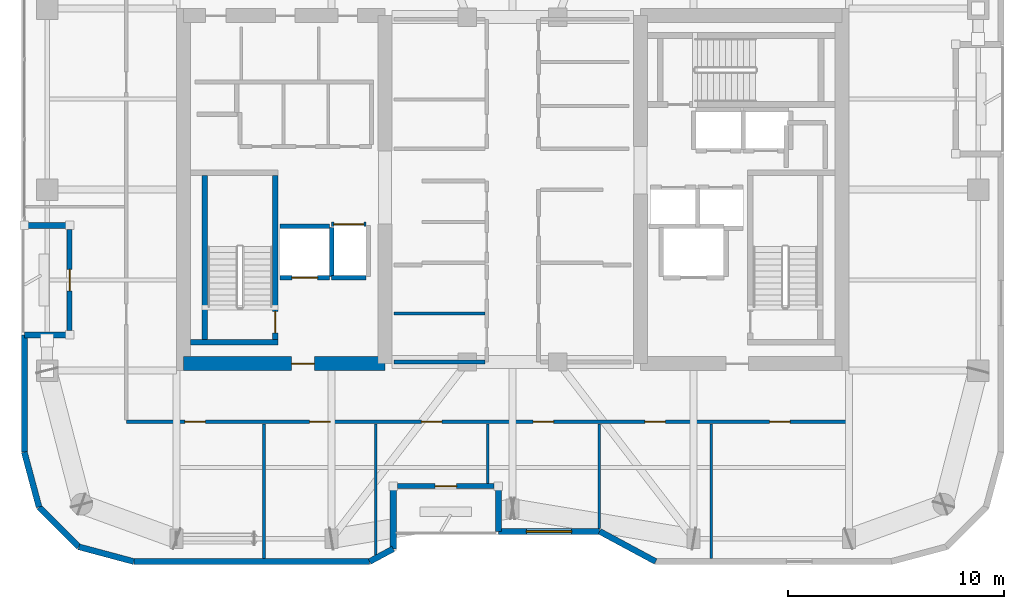
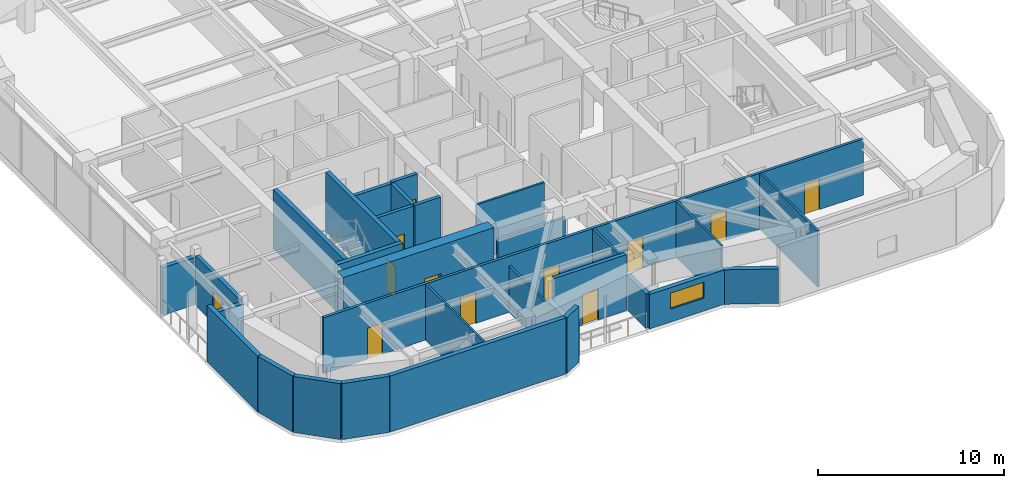
# One storey, part 15 of 21: 31 walls, 12 doors, 1 window, 13 openings.
"""IFC4 building model written with IfcOpenShell, lengths in metres."""

from ifc_helpers import new_model, si_unit, direction, frame, frame_2d, origin, place, context, subcontext, project, spatial, rectangle, extrude, material, layer, layer_set, type_object, element, fill, save


model = new_model("IFC4")

# Units and contexts
model_context = context("Model", 3, precision=1e-05, world=origin(), true_north=direction((0.0, 1.0)))
body_context = subcontext(model_context, "Body", "Model", "MODEL_VIEW")
ifc_project = project(units=[si_unit("LENGTHUNIT", "METRE"), si_unit("AREAUNIT", "SQUARE_METRE"), si_unit("VOLUMEUNIT", "CUBIC_METRE"), si_unit("PLANEANGLEUNIT", "RADIAN"), si_unit("MASSUNIT", "GRAM", prefix="KILO")], contexts=[model_context])

# Site, building, storey
site_placement = place(None, origin())
site = spatial("IfcSite", under=ifc_project, at=site_placement, CompositionType="ELEMENT")
building_placement = place(site_placement, origin())
building = spatial("IfcBuilding", under=site, at=building_placement, Name="Kiyonajd Concourse Tower", CompositionType="ELEMENT")
storey_placement = place(building_placement, frame((0.0, 0.0, 247.199951171875)))
storey = spatial("IfcBuildingStorey", under=building, at=storey_placement, Name="L62", CompositionType="ELEMENT", Elevation=247.199951171875)

# Wall, opening, door
ifc_material_1 = material(Name="Concrete C60/75", Category="concrete")
ifc_layer_1 = layer(ifc_material_1, 0.64990234375)
ifc_layer_set_1 = layer_set([ifc_layer_1], Name="Concrete C60/75")
wall_type_1 = type_object("IfcWallType", Name="WL-CORE-650", PredefinedType="SHEAR", material=ifc_layer_set_1)
wall_1_placement = place(storey_placement, frame((32.72509765625, 27.925048828125, 0.0), z_axis=(0.0, 0.0, 1.0), x_axis=(1.0, 0.0, 0.0)))
wall_1 = element("IfcWall", 1, at=wall_1_placement, inside=storey, type_object=wall_type_1, Name="L62 West Core South Shear Wall", PredefinedType="SHEAR", context=body_context, shape_type="SweptSolid", body=[
    extrude(rectangle(XDim=9.349853515625, YDim=0.64990234375, at=frame_2d((4.6748046875, 0.0))), origin(), (0.0, 0.0, 1.0), 3.900146484375),
])
opening_1_placement = place(wall_1_placement, frame((5.02490234375, 0.0, 0.0)))
opening_1 = element("IfcOpeningElement", 2, at=opening_1_placement, cuts=wall_1, Name="Opening DF5", PredefinedType="OPENING", context=body_context, shape_type="SweptSolid", body=[
    extrude(rectangle(XDim=1.050048828125, YDim=2.0400390625, at=frame_2d((0.52490234375, 1.02001953125))), frame((0.0, 0.3349609375, 0.0), z_axis=(0.0, -1.0, 0.0), x_axis=(1.0, 0.0, 0.0)), (0.0, 0.0, 1.0), 0.669921875),
])
ifc_material_2 = material(Name="Brushed Stainless Steel Cab Assembly", Category="steel")
door_type_1 = type_object("IfcDoorType", Name="DR-FD45-1050", OperationType="NOTDEFINED", PredefinedType="DOOR", material=ifc_material_2)
door_1_placement = place(opening_1_placement, origin())
door_1 = element("IfcDoor", 3, at=door_1_placement, inside=storey, type_object=door_type_1, Name="L62 Firefighting Lift Lobby W Smoke Door", OperationType="SINGLE_SWING_LEFT", OverallHeight=2.0400390625, OverallWidth=1.050048828125, PredefinedType="DOOR", context=body_context, shape_type="SweptSolid", body=[
    extrude(rectangle(XDim=1.050048828125, YDim=2.0400390625, at=frame_2d((0.52490234375, 1.02001953125))), frame((0.0, 0.02490234375, 0.0), z_axis=(0.0, -1.0, 0.0), x_axis=(1.0, 0.0, 0.0)), (0.0, 0.0, 1.0), 0.050048828125),
])
fill(opening_1, door_1)

# Walls
ifc_material_3 = material(Name="Precast concrete C50/60", Category="concrete")
ifc_layer_2 = layer(ifc_material_3, 0.280029296875)
ifc_layer_set_2 = layer_set([ifc_layer_2], Name="Precast concrete C50/60")
wall_type_2 = type_object("IfcWallType", Name="WL-EXT-280", PredefinedType="SOLIDWALL", material=ifc_layer_set_2)
wall_2_placement = place(storey_placement, frame((26.0224609375, 21.2724609375, 0.0), z_axis=(0.0, 0.0, 1.0), x_axis=(-0.2588904131, 0.965906700466, 0.0)))
element("IfcWall", 4, at=wall_2_placement, inside=storey, type_object=wall_type_2, Name="L62 Exterior Concrete Frame Wall 00", PredefinedType="SOLIDWALL", context=body_context, shape_type="SweptSolid", body=[
    extrude(rectangle(XDim=2.6357421875, YDim=0.280029296875, at=frame_2d((1.31787109375, 0.0))), origin(), (0.0, 0.0, 1.0), 3.679931640625),
])
wall_3_placement = place(storey_placement, frame((25.340087890625, 23.818359375, 0.0), z_axis=(0.0, 0.0, 1.0), x_axis=(0.0, 1.0, 0.0)))
element("IfcWall", 5, at=wall_3_placement, inside=storey, type_object=wall_type_2, Name="L62 Exterior Concrete Frame Wall 01", PredefinedType="SOLIDWALL", context=body_context, shape_type="SweptSolid", body=[
    extrude(rectangle(XDim=5.441650390625, YDim=0.280029296875, at=frame_2d((2.720703125, 0.0))), origin(), (0.0, 0.0, 1.0), 3.679931640625),
])
for number, where, z_axis, x_axis, name in (
    (6, (25.340087890625, 29.260009765625, 0.0), (0.0, 0.0, 1.0), (1.0, 0.0, 0.0), "L62 Exterior Concrete Frame Wall 02"),
    (7, (27.43994140625, 34.340087890625, 0.0), (0.0, 0.0, 1.0), (-1.0, 0.0, 0.0), "L62 Exterior Concrete Frame Wall 04"),
):
    element("IfcWall", number, at=place(storey_placement, frame(where, z_axis=z_axis, x_axis=x_axis)), inside=storey, type_object=wall_type_2, Name=name, PredefinedType="SOLIDWALL", context=body_context, shape_type="SweptSolid", body=[
        extrude(rectangle(XDim=2.099853515625, YDim=0.280029296875, at=frame_2d((1.0498046875, 0.0))), origin(), (0.0, 0.0, 1.0), 3.115966796875),
    ])
wall_4_placement = place(storey_placement, frame((54.63525390625, 18.739990234375, 0.0), z_axis=(0.0, 0.0, 1.0), x_axis=(-0.880473754814, 0.474094892488, 0.0)))
element("IfcWall", 8, at=wall_4_placement, inside=storey, type_object=wall_type_2, Name="L62 Exterior Concrete Frame Wall 29", PredefinedType="SOLIDWALL", context=body_context, shape_type="SweptSolid", body=[
    extrude(rectangle(XDim=2.952880859375, YDim=0.280029296875, at=frame_2d((1.4765625, 0.0))), origin(), (0.0, 0.0, 1.0), 2.26513671875),
])

# Wall, opening, window
wall_5_placement = place(storey_placement, frame((52.035400390625, 20.139892578125, 0.0), z_axis=(0.0, 0.0, 1.0), x_axis=(-1.0, 0.0, 0.0)))
wall_5 = element("IfcWall", 9, at=wall_5_placement, inside=storey, type_object=wall_type_2, Name="L62 Exterior Concrete Frame Wall 30", PredefinedType="SOLIDWALL", context=body_context, shape_type="SweptSolid", body=[
    extrude(rectangle(XDim=4.6953125, YDim=0.280029296875, at=frame_2d((2.34765625, 0.0))), origin(), (0.0, 0.0, 1.0), 2.26513671875),
])
opening_2_placement = place(wall_5_placement, frame((1.298095703125, 0.0, 0.85009765625)))
opening_2 = element("IfcOpeningElement", 10, at=opening_2_placement, cuts=wall_5, Name="Opening WN5", PredefinedType="OPENING", context=body_context, shape_type="SweptSolid", body=[
    extrude(rectangle(XDim=2.10009765625, YDim=1.050048828125, at=frame_2d((1.050048828125, 0.52490234375))), frame((0.0, 0.14990234375, 0.0), z_axis=(0.0, -1.0, 0.0), x_axis=(1.0, 0.0, 0.0)), (0.0, 0.0, 1.0), 0.300048828125),
])
ifc_material_4 = material(Name="Double Low-E Insulated Glass", Category="glass")
window_type = type_object("IfcWindowType", Name="WN-VIS-2100x1050", PartitioningType="SINGLE_PANEL", PredefinedType="WINDOW", material=ifc_material_4)
window_placement = place(opening_2_placement, origin())
window = element("IfcWindow", 11, at=window_placement, inside=storey, type_object=window_type, Name="L62 Modular Facade Vision Window 30", OverallHeight=1.050048828125, OverallWidth=2.10009765625, PartitioningType="SINGLE_PANEL", PredefinedType="WINDOW", context=body_context, shape_type="SweptSolid", body=[
    extrude(rectangle(XDim=2.10009765625, YDim=1.050048828125, at=frame_2d((1.050048828125, 0.52490234375))), frame((0.0, 0.030029296875, 0.0), z_axis=(0.0, -1.0, 0.0), x_axis=(1.0, 0.0, 0.0)), (0.0, 0.0, 1.0), 0.06005859375),
])
fill(opening_2, window)

# Walls
wall_6_placement = place(storey_placement, frame((47.340087890625, 20.139892578125, 0.0), z_axis=(0.0, 0.0, 1.0), x_axis=(0.0, 1.0, 0.0)))
element("IfcWall", 12, at=wall_6_placement, inside=storey, type_object=wall_type_2, Name="L62 Exterior Concrete Frame Wall 31", PredefinedType="SOLIDWALL", context=body_context, shape_type="SweptSolid", body=[
    extrude(rectangle(XDim=2.10009765625, YDim=0.280029296875, at=frame_2d((1.050048828125, 0.0))), origin(), (0.0, 0.0, 1.0), 2.26513671875),
])
wall_7_placement = place(storey_placement, frame((42.4599609375, 22.239990234375, 0.0), z_axis=(0.0, 0.0, 1.0), x_axis=(0.0, -1.0, 0.0)))
element("IfcWall", 13, at=wall_7_placement, inside=storey, type_object=wall_type_2, Name="L62 Exterior Concrete Frame Wall 33", PredefinedType="SOLIDWALL", context=body_context, shape_type="SweptSolid", body=[
    extrude(rectangle(XDim=2.910400390625, YDim=0.280029296875, at=frame_2d((1.455078125, 0.0))), origin(), (0.0, 0.0, 1.0), 2.26513671875),
])
wall_8_placement = place(storey_placement, frame((42.4599609375, 19.32958984375, 0.0), z_axis=(0.0, 0.0, 1.0), x_axis=(-0.880515214249, -0.474017887296, 0.0)))
element("IfcWall", 14, at=wall_8_placement, inside=storey, type_object=wall_type_2, Name="L62 Exterior Concrete Frame Wall 34", PredefinedType="SOLIDWALL", context=body_context, shape_type="SweptSolid", body=[
    extrude(rectangle(XDim=1.243896484375, YDim=0.280029296875, at=frame_2d((0.6220703125, 0.0))), origin(), (0.0, 0.0, 1.0), 3.679931640625),
])
wall_9_placement = place(storey_placement, frame((41.36474609375, 18.739990234375, 0.0), z_axis=(0.0, 0.0, 1.0), x_axis=(-1.0, 0.0, 0.0)))
element("IfcWall", 15, at=wall_9_placement, inside=storey, type_object=wall_type_2, Name="L62 Exterior Concrete Frame Wall 35", PredefinedType="SOLIDWALL", context=body_context, shape_type="SweptSolid", body=[
    extrude(rectangle(XDim=10.9462890625, YDim=0.280029296875, at=frame_2d((5.47314453125, 0.0))), origin(), (0.0, 0.0, 1.0), 3.679931640625),
])
wall_10_placement = place(storey_placement, frame((30.41845703125, 18.739990234375, 0.0), z_axis=(0.0, 0.0, 1.0), x_axis=(-0.965883534663, 0.258976828051, 0.0)))
element("IfcWall", 16, at=wall_10_placement, inside=storey, type_object=wall_type_2, Name="L62 Exterior Concrete Frame Wall 36", PredefinedType="SOLIDWALL", context=body_context, shape_type="SweptSolid", body=[
    extrude(rectangle(XDim=2.6357421875, YDim=0.280029296875, at=frame_2d((1.31787109375, 0.0))), origin(), (0.0, 0.0, 1.0), 3.679931640625),
])
wall_11_placement = place(storey_placement, frame((27.87255859375, 19.422607421875, 0.0), z_axis=(0.0, 0.0, 1.0), x_axis=(-0.707153437963, 0.707060121331, 0.0)))
element("IfcWall", 17, at=wall_11_placement, inside=storey, type_object=wall_type_2, Name="L62 Exterior Concrete Frame Wall 37", PredefinedType="SOLIDWALL", context=body_context, shape_type="SweptSolid", body=[
    extrude(rectangle(XDim=2.6162109375, YDim=0.280029296875, at=frame_2d((1.30810546875, 0.0))), origin(), (0.0, 0.0, 1.0), 3.679931640625),
])

# Wall, opening, door
ifc_layer_3 = layer(ifc_material_3, 0.239990234375)
ifc_layer_set_3 = layer_set([ifc_layer_3], Name="Precast concrete C50/60")
wall_type_3 = type_object("IfcWallType", Name="WL-LOG-240", PredefinedType="SOLIDWALL", material=ifc_layer_set_3)
wall_12_placement = place(storey_placement, frame((27.43994140625, 29.455078125, 0.0), z_axis=(0.0, 0.0, 1.0), x_axis=(0.0, 1.0, 0.0)))
wall_12 = element("IfcWall", 18, at=wall_12_placement, inside=storey, type_object=wall_type_3, Name="L62 Recessed Loggia Thermal Wall LOG-W", PredefinedType="SOLIDWALL", context=body_context, shape_type="SweptSolid", body=[
    extrude(rectangle(XDim=4.68994140625, YDim=0.239990234375, at=frame_2d((2.344970703125, 0.0))), origin(), (0.0, 0.0, 1.0), 3.248046875),
])
opening_3_placement = place(wall_12_placement, frame((1.844970703125, 0.0, 0.0)))
opening_3 = element("IfcOpeningElement", 19, at=opening_3_placement, cuts=wall_12, Name="Opening DL1", PredefinedType="OPENING", context=body_context, shape_type="SweptSolid", body=[
    extrude(rectangle(XDim=1.0, YDim=2.02001953125, at=frame_2d((0.5, 1.010009765625))), frame((0.0, 0.1298828125, 0.0), z_axis=(0.0, -1.0, 0.0), x_axis=(1.0, 0.0, 0.0)), (0.0, 0.0, 1.0), 0.260009765625),
])
ifc_material_5 = material(Name="Thermally Broken Anodised Aluminium", Category="aluminium")
door_type_2 = type_object("IfcDoorType", Name="DR-LOG-1000", OperationType="NOTDEFINED", PredefinedType="DOOR", material=ifc_material_5)
door_2_placement = place(opening_3_placement, origin())
door_2 = element("IfcDoor", 20, at=door_2_placement, inside=storey, type_object=door_type_2, Name="L62 Engawa Loggia Access Door LOG-W", OperationType="SINGLE_SWING_LEFT", OverallHeight=2.02001953125, OverallWidth=1.0, PredefinedType="DOOR", context=body_context, shape_type="SweptSolid", body=[
    extrude(rectangle(XDim=1.0, YDim=2.02001953125, at=frame_2d((0.5, 1.010009765625))), frame((0.0, 0.02490234375, 0.0), z_axis=(0.0, -1.0, 0.0), x_axis=(1.0, 0.0, 0.0)), (0.0, 0.0, 1.0), 0.050048828125),
])
fill(opening_3, door_2)

wall_13_placement = place(storey_placement, frame((47.14501953125, 22.239990234375, 0.0), z_axis=(0.0, 0.0, 1.0), x_axis=(-1.0, 0.0, 0.0)))
wall_13 = element("IfcWall", 21, at=wall_13_placement, inside=storey, type_object=wall_type_3, Name="L62 Recessed Loggia Thermal Wall LOG-S", PredefinedType="SOLIDWALL", context=body_context, shape_type="SweptSolid", body=[
    extrude(rectangle(XDim=4.489990234375, YDim=0.239990234375, at=frame_2d((2.2451171875, 0.0))), origin(), (0.0, 0.0, 1.0), 3.679931640625),
])
opening_4_placement = place(wall_13_placement, frame((1.7451171875, 0.0, 0.0)))
opening_4 = element("IfcOpeningElement", 22, at=opening_4_placement, cuts=wall_13, Name="Opening DL1", PredefinedType="OPENING", context=body_context, shape_type="SweptSolid", body=[
    extrude(rectangle(XDim=1.0, YDim=2.02001953125, at=frame_2d((0.5, 1.010009765625))), frame((0.0, 0.1298828125, 0.0), z_axis=(0.0, -1.0, 0.0), x_axis=(1.0, 0.0, 0.0)), (0.0, 0.0, 1.0), 0.260009765625),
])
door_3_placement = place(opening_4_placement, origin())
door_3 = element("IfcDoor", 23, at=door_3_placement, inside=storey, type_object=door_type_2, Name="L62 Engawa Loggia Access Door LOG-S", OperationType="SINGLE_SWING_RIGHT", OverallHeight=2.02001953125, OverallWidth=1.0, PredefinedType="DOOR", context=body_context, shape_type="SweptSolid", body=[
    extrude(rectangle(XDim=1.0, YDim=2.02001953125, at=frame_2d((0.5, 1.010009765625))), frame((0.0, 0.02490234375, 0.0), z_axis=(0.0, -1.0, 0.0), x_axis=(1.0, 0.0, 0.0)), (0.0, 0.0, 1.0), 0.050048828125),
])
fill(opening_4, door_3)

# Walls
ifc_material_6 = material(Name="Gypsum Board on Cold-Formed Steel Stud", Category="steel")
ifc_layer_4 = layer(ifc_material_6, 0.125)
ifc_layer_set_4 = layer_set([ifc_layer_4], Name="Gypsum Board on Cold-Formed Steel Stud")
wall_type_4 = type_object("IfcWallType", Name="WL-PART-125", PredefinedType="PARTITIONING", material=ifc_layer_set_4)
wall_14_placement = place(storey_placement, frame((42.5, 30.25, 0.0), z_axis=(0.0, 0.0, 1.0), x_axis=(1.0, 0.0, 0.0)))
element("IfcWall", 24, at=wall_14_placement, inside=storey, type_object=wall_type_4, Name="L62 Interior Partition Wall", PredefinedType="PARTITIONING", context=body_context, shape_type="SweptSolid", body=[
    extrude(rectangle(XDim=4.212890625, YDim=0.125, at=frame_2d((2.1064453125, 0.0))), origin(), (0.0, 0.0, 1.0), 3.679931640625),
])
wall_15_placement = place(storey_placement, frame((36.4599609375, 18.875, 0.0), z_axis=(0.0, 0.0, 1.0), x_axis=(0.0, 1.0, 0.0)))
element("IfcWall", 25, at=wall_15_placement, inside=storey, type_object=wall_type_4, Name="L62 Interior Partition Wall", PredefinedType="PARTITIONING", context=body_context, shape_type="SweptSolid", body=[
    extrude(rectangle(XDim=6.258056640625, YDim=0.125, at=frame_2d((3.12890625, 0.0))), origin(), (0.0, 0.0, 1.0), 3.679931640625),
])
wall_16_placement = place(storey_placement, frame((41.64990234375, 19.049072265625, 0.0), z_axis=(0.0, 0.0, 1.0), x_axis=(0.0, 1.0, 0.0)))
element("IfcWall", 26, at=wall_16_placement, inside=storey, type_object=wall_type_4, Name="L62 Interior Partition Wall", PredefinedType="PARTITIONING", context=body_context, shape_type="SweptSolid", body=[
    extrude(rectangle(XDim=6.083984375, YDim=0.125, at=frame_2d((3.0419921875, 0.0))), origin(), (0.0, 0.0, 1.0), 3.04296875),
])
wall_17_placement = place(storey_placement, frame((46.840087890625, 22.35498046875, 0.0), z_axis=(0.0, 0.0, 1.0), x_axis=(0.0, 1.0, 0.0)))
element("IfcWall", 27, at=wall_17_placement, inside=storey, type_object=wall_type_4, Name="L62 Interior Partition Wall", PredefinedType="PARTITIONING", context=body_context, shape_type="SweptSolid", body=[
    extrude(rectangle(XDim=2.778076171875, YDim=0.125, at=frame_2d((1.38916015625, 0.0))), origin(), (0.0, 0.0, 1.0), 3.679931640625),
])
wall_18_placement = place(storey_placement, frame((52.02001953125, 20.282958984375, 0.0), z_axis=(0.0, 0.0, 1.0), x_axis=(0.0, 1.0, 0.0)))
element("IfcWall", 28, at=wall_18_placement, inside=storey, type_object=wall_type_4, Name="L62 Interior Partition Wall", PredefinedType="PARTITIONING", context=body_context, shape_type="SweptSolid", body=[
    extrude(rectangle(XDim=4.85009765625, YDim=0.125, at=frame_2d((2.425048828125, 0.0))), origin(), (0.0, 0.0, 1.0), 3.679931640625),
])
wall_19_placement = place(storey_placement, frame((57.2099609375, 18.875, 0.0), z_axis=(0.0, 0.0, 1.0), x_axis=(0.0, 1.0, 0.0)))
element("IfcWall", 29, at=wall_19_placement, inside=storey, type_object=wall_type_4, Name="L62 Interior Partition Wall", PredefinedType="PARTITIONING", context=body_context, shape_type="SweptSolid", body=[
    extrude(rectangle(XDim=6.258056640625, YDim=0.125, at=frame_2d((3.12890625, 0.0))), origin(), (0.0, 0.0, 1.0), 3.679931640625),
])

# Wall, opening, door
ifc_layer_5 = layer(ifc_material_6, 0.2099609375)
ifc_layer_set_5 = layer_set([ifc_layer_5], Name="Gypsum Board on Cold-Formed Steel Stud")
wall_type_5 = type_object("IfcWallType", Name="WL-SHAFT-210", PredefinedType="PARTITIONING", material=ifc_layer_set_5)
wall_20_placement = place(storey_placement, frame((37.199951171875, 31.89990234375, 0.0), z_axis=(0.0, 0.0, 1.0), x_axis=(1.0, 0.0, 0.0)))
wall_20 = element("IfcWall", 30, at=wall_20_placement, inside=storey, type_object=wall_type_5, Name="L62 Shaft Enclosure Wall", PredefinedType="PARTITIONING", context=body_context, shape_type="SweptSolid", body=[
    extrude(rectangle(XDim=2.300048828125, YDim=0.2099609375, at=frame_2d((1.14990234375, 0.0))), origin(), (0.0, 0.0, 1.0), 3.679931640625),
])
opening_5_placement = place(wall_20_placement, frame((0.550048828125, 0.0, 0.0)))
opening_5 = element("IfcOpeningElement", 31, at=opening_5_placement, cuts=wall_20, Name="Opening LD2", PredefinedType="OPENING", context=body_context, shape_type="SweptSolid", body=[
    extrude(rectangle(XDim=1.199951171875, YDim=2.0400390625, at=frame_2d((0.60009765625, 1.02001953125))), frame((0.0, 0.114990234375, 0.0), z_axis=(0.0, -1.0, 0.0), x_axis=(1.0, 0.0, 0.0)), (0.0, 0.0, 1.0), 0.22998046875),
])
door_type_3 = type_object("IfcDoorType", Name="DR-LD-1200", OperationType="DOUBLE_DOOR_SLIDING", PredefinedType="DOOR", material=ifc_material_2)
door_4_placement = place(opening_5_placement, origin())
door_4 = element("IfcDoor", 32, at=door_4_placement, inside=storey, type_object=door_type_3, Name="L62 Lift FFL1 Sliding Landing Door", OperationType="DOUBLE_DOOR_SLIDING", OverallHeight=2.0400390625, OverallWidth=1.199951171875, PredefinedType="DOOR", context=body_context, shape_type="SweptSolid", body=[
    extrude(rectangle(XDim=1.199951171875, YDim=2.0400390625, at=frame_2d((0.60009765625, 1.02001953125))), frame((0.0, 0.02490234375, 0.0), z_axis=(0.0, -1.0, 0.0), x_axis=(1.0, 0.0, 0.0)), (0.0, 0.0, 1.0), 0.050048828125),
])
fill(opening_5, door_4)

# Walls
wall_21_placement = place(storey_placement, frame((37.199951171875, 34.300048828125, 0.0), z_axis=(0.0, 0.0, 1.0), x_axis=(1.0, 0.0, 0.0)))
element("IfcWall", 33, at=wall_21_placement, inside=storey, type_object=wall_type_5, Name="L62 Shaft Enclosure Wall", PredefinedType="PARTITIONING", context=body_context, shape_type="SweptSolid", body=[
    extrude(rectangle(XDim=2.300048828125, YDim=0.2099609375, at=frame_2d((1.14990234375, 0.0))), origin(), (0.0, 0.0, 1.0), 3.679931640625),
])
wall_22_placement = place(storey_placement, frame((39.60009765625, 31.9599609375, 0.0), z_axis=(0.0, 0.0, 1.0), x_axis=(0.0, 1.0, 0.0)))
element("IfcWall", 34, at=wall_22_placement, inside=storey, type_object=wall_type_5, Name="L62 Shaft Enclosure Wall", PredefinedType="PARTITIONING", context=body_context, shape_type="SweptSolid", body=[
    extrude(rectangle(XDim=2.280029296875, YDim=0.2099609375, at=frame_2d((1.14013671875, 0.0))), origin(), (0.0, 0.0, 1.0), 3.679931640625),
])

# Wall, opening, door
wall_23_placement = place(storey_placement, frame((39.60009765625, 34.39990234375, 0.0), z_axis=(0.0, 0.0, 1.0), x_axis=(1.0, 0.0, 0.0)))
wall_23 = element("IfcWall", 35, at=wall_23_placement, inside=storey, type_object=wall_type_5, Name="L62 Shaft Enclosure Wall", PredefinedType="PARTITIONING", context=body_context, shape_type="SweptSolid", body=[
    extrude(rectangle(XDim=1.599853515625, YDim=0.2099609375, at=frame_2d((0.7998046875, 0.0))), origin(), (0.0, 0.0, 1.0), 3.679931640625),
])
opening_6_placement = place(wall_23_placement, frame((0.10009765625, 0.0, 0.0)))
opening_6 = element("IfcOpeningElement", 36, at=opening_6_placement, cuts=wall_23, Name="Opening LD3", PredefinedType="OPENING", context=body_context, shape_type="SweptSolid", body=[
    extrude(rectangle(XDim=1.39990234375, YDim=2.06005859375, at=frame_2d((0.699951171875, 1.030029296875))), frame((0.0, 0.114990234375, 0.0), z_axis=(0.0, -1.0, 0.0), x_axis=(1.0, 0.0, 0.0)), (0.0, 0.0, 1.0), 0.22998046875),
])
door_type_4 = type_object("IfcDoorType", Name="DR-LD-1400", OperationType="DOUBLE_DOOR_SLIDING", PredefinedType="DOOR", material=ifc_material_2)
door_5_placement = place(opening_6_placement, origin())
door_5 = element("IfcDoor", 37, at=door_5_placement, inside=storey, type_object=door_type_4, Name="L62 Lift SVL1 Sliding Landing Door", OperationType="DOUBLE_DOOR_SLIDING", OverallHeight=2.06005859375, OverallWidth=1.39990234375, PredefinedType="DOOR", context=body_context, shape_type="SweptSolid", body=[
    extrude(rectangle(XDim=1.39990234375, YDim=2.06005859375, at=frame_2d((0.699951171875, 1.030029296875))), frame((0.0, 0.02490234375, 0.0), z_axis=(0.0, -1.0, 0.0), x_axis=(1.0, 0.0, 0.0)), (0.0, 0.0, 1.0), 0.050048828125),
])
fill(opening_6, door_5)

# Walls
wall_24_placement = place(storey_placement, frame((39.60009765625, 31.89990234375, 0.0), z_axis=(0.0, 0.0, 1.0), x_axis=(1.0, 0.0, 0.0)))
element("IfcWall", 38, at=wall_24_placement, inside=storey, type_object=wall_type_5, Name="L62 Shaft Enclosure Wall", PredefinedType="PARTITIONING", context=body_context, shape_type="SweptSolid", body=[
    extrude(rectangle(XDim=1.599853515625, YDim=0.2099609375, at=frame_2d((0.7998046875, 0.0))), origin(), (0.0, 0.0, 1.0), 3.679931640625),
])
ifc_layer_6 = layer(ifc_material_6, 0.169921875)
ifc_layer_set_6 = layer_set([ifc_layer_6], Name="Gypsum Board on Cold-Formed Steel Stud")
wall_type_6 = type_object("IfcWallType", Name="WL-SMK-170", PredefinedType="PARTITIONING", material=ifc_layer_set_6)
wall_25_placement = place(storey_placement, frame((42.5, 28.0, 0.0), z_axis=(0.0, 0.0, 1.0), x_axis=(1.0, 0.0, 0.0)))
element("IfcWall", 39, at=wall_25_placement, inside=storey, type_object=wall_type_6, Name="L62 Interior Partition Wall", PredefinedType="PARTITIONING", context=body_context, shape_type="SweptSolid", body=[
    extrude(rectangle(XDim=4.212890625, YDim=0.169921875, at=frame_2d((2.1064453125, 0.0))), origin(), (0.0, 0.0, 1.0), 2.76513671875),
])

# Wall, openings, doors
wall_26_placement = place(storey_placement, frame((30.074951171875, 25.219970703125, 0.0), z_axis=(0.0, 0.0, 1.0), x_axis=(1.0, 0.0, 0.0)))
wall_26 = element("IfcWall", 40, at=wall_26_placement, inside=storey, type_object=wall_type_6, Name="L62 Interior Partition Wall", PredefinedType="PARTITIONING", context=body_context, shape_type="SweptSolid", body=[
    extrude(rectangle(XDim=33.525146484375, YDim=0.169921875, at=frame_2d((16.7626953125, 0.0))), origin(), (0.0, 0.0, 1.0), 3.679931640625),
])
opening_7_placement = place(wall_26_placement, frame((2.717041015625, 0.0, 0.0)))
opening_7 = element("IfcOpeningElement", 41, at=opening_7_placement, cuts=wall_26, Name="Opening DI1", PredefinedType="OPENING", context=body_context, shape_type="SweptSolid", body=[
    extrude(rectangle(XDim=0.949951171875, YDim=2.0400390625, at=frame_2d((0.47509765625, 1.02001953125))), frame((0.0, 0.094970703125, 0.0), z_axis=(0.0, -1.0, 0.0), x_axis=(1.0, 0.0, 0.0)), (0.0, 0.0, 1.0), 0.18994140625),
])
opening_8_placement = place(wall_26_placement, frame((8.5048828125, 0.0, 0.0)))
opening_8 = element("IfcOpeningElement", 42, at=opening_8_placement, cuts=wall_26, Name="Opening DI1", PredefinedType="OPENING", context=body_context, shape_type="SweptSolid", body=[
    extrude(rectangle(XDim=0.949951171875, YDim=2.0400390625, at=frame_2d((0.47509765625, 1.02001953125))), frame((0.0, 0.094970703125, 0.0), z_axis=(0.0, -1.0, 0.0), x_axis=(1.0, 0.0, 0.0)), (0.0, 0.0, 1.0), 0.18994140625),
])
opening_9_placement = place(wall_26_placement, frame((13.695068359375, 0.0, 0.0)))
opening_9 = element("IfcOpeningElement", 43, at=opening_9_placement, cuts=wall_26, Name="Opening DI1", PredefinedType="OPENING", context=body_context, shape_type="SweptSolid", body=[
    extrude(rectangle(XDim=0.949951171875, YDim=2.0400390625, at=frame_2d((0.47509765625, 1.02001953125))), frame((0.0, 0.094970703125, 0.0), z_axis=(0.0, -1.0, 0.0), x_axis=(1.0, 0.0, 0.0)), (0.0, 0.0, 1.0), 0.18994140625),
])
opening_10_placement = place(wall_26_placement, frame((18.8798828125, 0.0, 0.0)))
opening_10 = element("IfcOpeningElement", 44, at=opening_10_placement, cuts=wall_26, Name="Opening DI1", PredefinedType="OPENING", context=body_context, shape_type="SweptSolid", body=[
    extrude(rectangle(XDim=0.949951171875, YDim=2.0400390625, at=frame_2d((0.47509765625, 1.02001953125))), frame((0.0, 0.094970703125, 0.0), z_axis=(0.0, -1.0, 0.0), x_axis=(1.0, 0.0, 0.0)), (0.0, 0.0, 1.0), 0.18994140625),
])
opening_11_placement = place(wall_26_placement, frame((24.06494140625, 0.0, 0.0)))
opening_11 = element("IfcOpeningElement", 45, at=opening_11_placement, cuts=wall_26, Name="Opening DI1", PredefinedType="OPENING", context=body_context, shape_type="SweptSolid", body=[
    extrude(rectangle(XDim=0.949951171875, YDim=2.0400390625, at=frame_2d((0.47509765625, 1.02001953125))), frame((0.0, 0.094970703125, 0.0), z_axis=(0.0, -1.0, 0.0), x_axis=(1.0, 0.0, 0.0)), (0.0, 0.0, 1.0), 0.18994140625),
])
opening_12_placement = place(wall_26_placement, frame((29.85498046875, 0.0, 0.0)))
opening_12 = element("IfcOpeningElement", 46, at=opening_12_placement, cuts=wall_26, Name="Opening DI1", PredefinedType="OPENING", context=body_context, shape_type="SweptSolid", body=[
    extrude(rectangle(XDim=0.949951171875, YDim=2.0400390625, at=frame_2d((0.47509765625, 1.02001953125))), frame((0.0, 0.094970703125, 0.0), z_axis=(0.0, -1.0, 0.0), x_axis=(1.0, 0.0, 0.0)), (0.0, 0.0, 1.0), 0.18994140625),
])
ifc_material_7 = material(Name="Natural Oak Acoustic Timber Veneer", Category="wood")
door_type_5 = type_object("IfcDoorType", Name="DR-INT-950", OperationType="NOTDEFINED", PredefinedType="DOOR", material=ifc_material_7)
door_6_placement = place(opening_7_placement, origin())
door_6 = element("IfcDoor", 47, at=door_6_placement, inside=storey, type_object=door_type_5, Name="L62 Interior Door", OperationType="SINGLE_SWING_RIGHT", OverallHeight=2.0400390625, OverallWidth=0.949951171875, PredefinedType="DOOR", context=body_context, shape_type="SweptSolid", body=[
    extrude(rectangle(XDim=0.949951171875, YDim=2.0400390625, at=frame_2d((0.47509765625, 1.02001953125))), frame((0.0, 0.02490234375, 0.0), z_axis=(0.0, -1.0, 0.0), x_axis=(1.0, 0.0, 0.0)), (0.0, 0.0, 1.0), 0.050048828125),
])
fill(opening_7, door_6)
door_7_placement = place(opening_8_placement, origin())
door_7 = element("IfcDoor", 48, at=door_7_placement, inside=storey, type_object=door_type_5, Name="L62 Interior Door", OperationType="SINGLE_SWING_LEFT", OverallHeight=2.0400390625, OverallWidth=0.949951171875, PredefinedType="DOOR", context=body_context, shape_type="SweptSolid", body=[
    extrude(rectangle(XDim=0.949951171875, YDim=2.0400390625, at=frame_2d((0.47509765625, 1.02001953125))), frame((0.0, 0.02490234375, 0.0), z_axis=(0.0, -1.0, 0.0), x_axis=(1.0, 0.0, 0.0)), (0.0, 0.0, 1.0), 0.050048828125),
])
fill(opening_8, door_7)
door_8_placement = place(opening_9_placement, origin())
door_8 = element("IfcDoor", 49, at=door_8_placement, inside=storey, type_object=door_type_5, Name="L62 Interior Door", OperationType="SINGLE_SWING_RIGHT", OverallHeight=2.0400390625, OverallWidth=0.949951171875, PredefinedType="DOOR", context=body_context, shape_type="SweptSolid", body=[
    extrude(rectangle(XDim=0.949951171875, YDim=2.0400390625, at=frame_2d((0.47509765625, 1.02001953125))), frame((0.0, 0.02490234375, 0.0), z_axis=(0.0, -1.0, 0.0), x_axis=(1.0, 0.0, 0.0)), (0.0, 0.0, 1.0), 0.050048828125),
])
fill(opening_9, door_8)
door_9_placement = place(opening_10_placement, origin())
door_9 = element("IfcDoor", 50, at=door_9_placement, inside=storey, type_object=door_type_5, Name="L62 Interior Door", OperationType="SINGLE_SWING_LEFT", OverallHeight=2.0400390625, OverallWidth=0.949951171875, PredefinedType="DOOR", context=body_context, shape_type="SweptSolid", body=[
    extrude(rectangle(XDim=0.949951171875, YDim=2.0400390625, at=frame_2d((0.47509765625, 1.02001953125))), frame((0.0, 0.02490234375, 0.0), z_axis=(0.0, -1.0, 0.0), x_axis=(1.0, 0.0, 0.0)), (0.0, 0.0, 1.0), 0.050048828125),
])
fill(opening_10, door_9)
door_10_placement = place(opening_11_placement, origin())
door_10 = element("IfcDoor", 51, at=door_10_placement, inside=storey, type_object=door_type_5, Name="L62 Interior Door", OperationType="SINGLE_SWING_RIGHT", OverallHeight=2.0400390625, OverallWidth=0.949951171875, PredefinedType="DOOR", context=body_context, shape_type="SweptSolid", body=[
    extrude(rectangle(XDim=0.949951171875, YDim=2.0400390625, at=frame_2d((0.47509765625, 1.02001953125))), frame((0.0, 0.02490234375, 0.0), z_axis=(0.0, -1.0, 0.0), x_axis=(1.0, 0.0, 0.0)), (0.0, 0.0, 1.0), 0.050048828125),
])
fill(opening_11, door_10)
door_11_placement = place(opening_12_placement, origin())
door_11 = element("IfcDoor", 52, at=door_11_placement, inside=storey, type_object=door_type_5, Name="L62 Interior Door", OperationType="SINGLE_SWING_LEFT", OverallHeight=2.0400390625, OverallWidth=0.949951171875, PredefinedType="DOOR", context=body_context, shape_type="SweptSolid", body=[
    extrude(rectangle(XDim=0.949951171875, YDim=2.0400390625, at=frame_2d((0.47509765625, 1.02001953125))), frame((0.0, 0.02490234375, 0.0), z_axis=(0.0, -1.0, 0.0), x_axis=(1.0, 0.0, 0.0)), (0.0, 0.0, 1.0), 0.050048828125),
])
fill(opening_12, door_11)

# Walls
ifc_material_8 = material(Name="Concrete C50/60", Category="concrete")
ifc_layer_7 = layer(ifc_material_8, 0.260009765625)
ifc_layer_set_7 = layer_set([ifc_layer_7], Name="Concrete C50/60")
wall_type_7 = type_object("IfcWallType", Name="WL-STAIR-260", PredefinedType="SHEAR", material=ifc_layer_set_7)
wall_27_placement = place(storey_placement, frame((33.050048828125, 28.919921875, 0.0), z_axis=(0.0, 0.0, 1.0), x_axis=(1.0, 0.0, 0.0)))
element("IfcWall", 53, at=wall_27_placement, inside=storey, type_object=wall_type_7, Name="L62 Stair ST1 Structural South Wall", PredefinedType="SHEAR", context=body_context, shape_type="SweptSolid", body=[
    extrude(rectangle(XDim=4.06005859375, YDim=0.260009765625, at=frame_2d((2.030029296875, 0.0))), origin(), (0.0, 0.0, 1.0), 3.900146484375),
])
wall_28_placement = place(storey_placement, frame((33.719970703125, 29.050048828125, 0.0), z_axis=(0.0, 0.0, 1.0), x_axis=(0.0, 1.0, 0.0)))
element("IfcWall", 54, at=wall_28_placement, inside=storey, type_object=wall_type_7, Name="L62 Stair ST1 Structural West Wall", PredefinedType="SHEAR", context=body_context, shape_type="SweptSolid", body=[
    extrude(rectangle(XDim=7.599853515625, YDim=0.260009765625, at=frame_2d((3.7998046875, 0.0))), origin(), (0.0, 0.0, 1.0), 3.900146484375),
])

# Wall, opening, door
wall_29_placement = place(storey_placement, frame((36.97998046875, 29.050048828125, 0.0), z_axis=(0.0, 0.0, 1.0), x_axis=(0.0, 1.0, 0.0)))
wall_29 = element("IfcWall", 55, at=wall_29_placement, inside=storey, type_object=wall_type_7, Name="L62 Stair ST1 Structural East Wall", PredefinedType="SHEAR", context=body_context, shape_type="SweptSolid", body=[
    extrude(rectangle(XDim=7.599853515625, YDim=0.260009765625, at=frame_2d((3.7998046875, 0.0))), origin(), (0.0, 0.0, 1.0), 3.900146484375),
])
opening_13_placement = place(wall_29_placement, frame((0.300048828125, 0.0, 0.0)))
opening_13 = element("IfcOpeningElement", 56, at=opening_13_placement, cuts=wall_29, Name="Opening DF1", PredefinedType="OPENING", context=body_context, shape_type="SweptSolid", body=[
    extrude(rectangle(XDim=1.0, YDim=2.0400390625, at=frame_2d((0.5, 1.02001953125))), frame((0.0, 0.139892578125, 0.0), z_axis=(0.0, -1.0, 0.0), x_axis=(1.0, 0.0, 0.0)), (0.0, 0.0, 1.0), 0.280029296875),
])
door_type_6 = type_object("IfcDoorType", Name="DR-FD90-1000", OperationType="NOTDEFINED", PredefinedType="DOOR", material=ifc_material_2)
door_12_placement = place(opening_13_placement, origin())
door_12 = element("IfcDoor", 57, at=door_12_placement, inside=storey, type_object=door_type_6, Name="L62 Stair ST1 FSAE Door", OperationType="SINGLE_SWING_LEFT", OverallHeight=2.0400390625, OverallWidth=1.0, PredefinedType="DOOR", context=body_context, shape_type="SweptSolid", body=[
    extrude(rectangle(XDim=1.0, YDim=2.0400390625, at=frame_2d((0.5, 1.02001953125))), frame((0.0, 0.02490234375, 0.0), z_axis=(0.0, -1.0, 0.0), x_axis=(1.0, 0.0, 0.0)), (0.0, 0.0, 1.0), 0.050048828125),
])
fill(opening_13, door_12)

save(model, "model.ifc")
